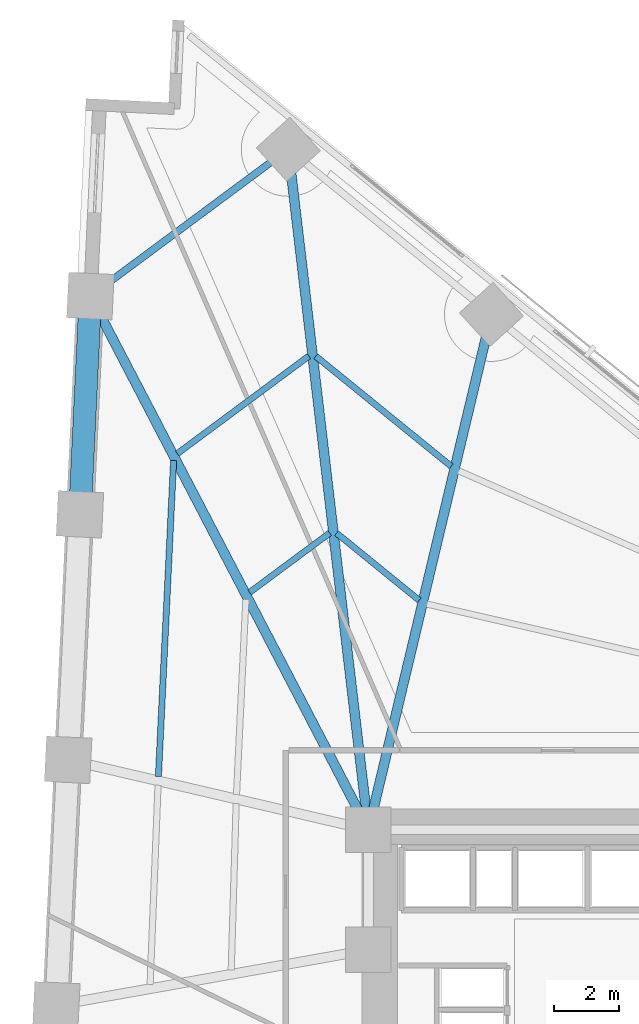
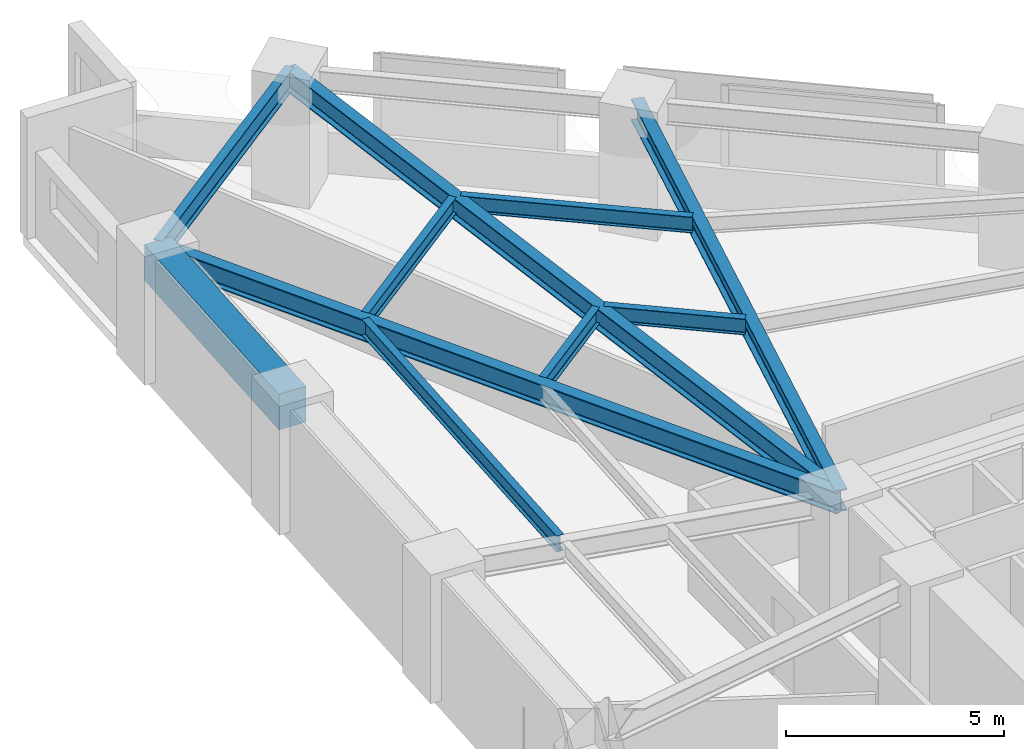
# One storey, part 8 of 17: 10 beams.
"""IFC4 building model written with IfcOpenShell, lengths in metres."""

import ifcopenshell
import ifcopenshell.guid

model = None  # the IFC model being written
_history = None  # IfcOwnerHistory: only IFC2X3 demands one
_inside = {}  # id of a spatial element -> (the spatial element, [elements in it])
_under = {}  # id of a project, library or spatial element -> (it, [spatial elements below it])
_declared = {}  # id of a project -> (the project, [libraries it declares])
_typed = {}  # id of a type object -> (the type object, [elements of that type])
_made_of = {}  # id of a material, layer set ... -> (it, [elements and type objects made of it])


def new_model(schema):
    """Start an empty IFC model of exactly this schema.

    Asked for "IFC4X3", IfcOpenShell would pick the latest addendum, in which some entities
    have other attributes; the version numbers below select the first issue.
    IFC2X3 requires an IfcOwnerHistory on every rooted entity: one is made here for all.
    """
    global model, _history
    if schema == "IFC4X3":
        model = ifcopenshell.file(schema_version=(4, 3, 0, 0))
    else:
        model = ifcopenshell.file(schema=schema)
    _inside.clear()
    _under.clear()
    _declared.clear()
    _typed.clear()
    _made_of.clear()
    _history = None
    if model.schema == "IFC2X3":
        org = make("IfcOrganization", Name="unknown")
        user = make(
            "IfcPersonAndOrganization",
            ThePerson=make("IfcPerson", FamilyName="unknown"),
            TheOrganization=org,
        )
        app = make(
            "IfcApplication",
            ApplicationDeveloper=org,
            Version="unknown",
            ApplicationFullName="unknown",
            ApplicationIdentifier="unknown",
        )
        _history = make(
            "IfcOwnerHistory",
            OwningUser=user,
            OwningApplication=app,
            ChangeAction="ADDED",
            CreationDate=0,
        )
    return model


def make(cls, **values):
    """One entity of the class cls with the attributes given. An attribute that is None is left unset."""
    return model.create_entity(
        cls, **{name: value for name, value in values.items() if value is not None}
    )


def rooted(cls, **values):
    """An entity with a GlobalId (a new one), such as an element, a storey or a relation."""
    return make(cls, GlobalId=ifcopenshell.guid.new(), OwnerHistory=_history, **values)


def si_unit(unit_type, name, prefix=None):
    """IfcSIUnit, for example si_unit("LENGTHUNIT", "METRE", prefix="MILLI")."""
    return make("IfcSIUnit", UnitType=unit_type, Prefix=prefix, Name=name)


def assignment(units):
    """IfcUnitAssignment: the units of a project."""
    return None if units is None else make("IfcUnitAssignment", Units=units)


def point(xyz):
    """IfcCartesianPoint."""
    return None if xyz is None else make("IfcCartesianPoint", Coordinates=xyz)


def direction(xyz):
    """IfcDirection."""
    return None if xyz is None else make("IfcDirection", DirectionRatios=xyz)


def frame(location, z_axis=None, x_axis=None):
    """IfcAxis2Placement3D, a coordinate frame: its origin and axes. An axis left out is left unset."""
    return make(
        "IfcAxis2Placement3D",
        Location=point(location),
        Axis=direction(z_axis),
        RefDirection=direction(x_axis),
    )


def frame_2d(location, x_axis=None):
    """IfcAxis2Placement2D, a coordinate frame in the plane: its origin and x axis."""
    return make(
        "IfcAxis2Placement2D", Location=point(location), RefDirection=direction(x_axis)
    )


def origin():
    """The frame at (0, 0, 0) with its axes left unset."""
    return frame((0.0, 0.0, 0.0))


def origin_2d():
    """The frame at (0, 0) in the plane with its x axis left unset."""
    return frame_2d((0.0, 0.0))


def place(relative_to, where):
    """IfcLocalPlacement: puts the frame where relative to a parent placement (None: the world)."""
    return make(
        "IfcLocalPlacement", PlacementRelTo=relative_to, RelativePlacement=where
    )


def context(
    kind, dimensions, precision=None, world=None, true_north=None, identifier=None
):
    """IfcGeometricRepresentationContext, for example the 3D "Model" context."""
    return make(
        "IfcGeometricRepresentationContext",
        ContextIdentifier=identifier,
        ContextType=kind,
        CoordinateSpaceDimension=dimensions,
        Precision=precision,
        WorldCoordinateSystem=world,
        TrueNorth=true_north,
    )


def subcontext(parent, identifier, kind, view, scale=None):
    """IfcGeometricRepresentationSubContext, for example "Body" below "Model"."""
    return make(
        "IfcGeometricRepresentationSubContext",
        ContextIdentifier=identifier,
        ContextType=kind,
        ParentContext=parent,
        TargetScale=scale,
        TargetView=view,
    )


def project(units=None, contexts=None):
    """IfcProject with its units and contexts."""
    return rooted(
        "IfcProject",
        Name="project",
        RepresentationContexts=contexts,
        UnitsInContext=assignment(units),
    )


def spatial(cls, under=None, at=None, **own):
    """A site, building, storey or space (cls), placed at a placement, below another one or the project."""
    s = rooted(cls, ObjectPlacement=at, **own)
    if under is not None:
        _under.setdefault(under.id(), (under, []))[1].append(s)
    return s


def profile(cls, at=None, kind="AREA", **sizes):
    """A parametric profile (cls). Its sizes go by their IFC names, for example OverallWidth=200.0."""
    return make(cls, ProfileType=kind, Position=at, **sizes)


def rectangle(**sizes):
    """IfcRectangleProfileDef."""
    return profile("IfcRectangleProfileDef", **sizes)


def i_section(**sizes):
    """IfcIShapeProfileDef."""
    return profile("IfcIShapeProfileDef", **sizes)


def extrude(swept, where, along, depth):
    """IfcExtrudedAreaSolid: the profile swept, set in the frame where, extruded along a direction by depth."""
    return make(
        "IfcExtrudedAreaSolid",
        SweptArea=swept,
        Position=where,
        ExtrudedDirection=direction(along),
        Depth=depth,
    )


def shape(context_of_items, identifier, shape_type, items):
    """IfcShapeRepresentation: the items that make up one representation, for example the "Body"."""
    return make(
        "IfcShapeRepresentation",
        ContextOfItems=context_of_items,
        RepresentationIdentifier=identifier,
        RepresentationType=shape_type,
        Items=items,
    )


def material(Name=None, Category=None):
    """IfcMaterial."""
    return make("IfcMaterial", Name=Name, Category=Category)


def material_profile(
    of_material, cross_section, Name=None, Category=None, Priority=None
):
    """IfcMaterialProfile: a cross section and its material."""
    return make(
        "IfcMaterialProfile",
        Name=Name,
        Material=of_material,
        Profile=cross_section,
        Priority=Priority,
        Category=Category,
    )


def profile_set(profiles, Name=None, composite=None):
    """IfcMaterialProfileSet."""
    return make(
        "IfcMaterialProfileSet",
        Name=Name,
        MaterialProfiles=profiles,
        CompositeProfile=composite,
    )


def made_of(thing, what):
    """Note that an element or type object is made of a material, layer set ...; save() writes the relation."""
    if what is not None:
        _made_of.setdefault(what.id(), (what, []))[1].append(thing)
    return thing


def type_object(cls, material=None, **own):
    """A type object (cls), such as IfcWallType, which elements share."""
    return made_of(rooted(cls, **own), material)


def element(
    cls,
    number,
    at=None,
    inside=None,
    cuts=None,
    type_object=None,
    material=None,
    context=None,
    identifier="Body",
    shape_type=None,
    held_by="IfcProductDefinitionShape",
    body=None,
    shapes=None,
    **own,
):
    """One element of the class cls, such as IfcWall. Its Tag is "e" and its number.

    at: its placement. inside: the storey or other place that contains it. cuts: it is an
    opening in that element (IfcRelVoidsElement). A single representation is given by context,
    identifier, shape_type and body (its items); several are given by shapes. held_by: the class
    of the entity that holds the representations. save() writes the other relations.
    """
    e = rooted(cls, Tag="e%d" % number, ObjectPlacement=at, **own)
    if body is not None:
        shapes = [shape(context, identifier, shape_type, body)]
    if shapes is not None:
        e.Representation = make(held_by, Representations=shapes)
    if inside is not None:
        _inside.setdefault(inside.id(), (inside, []))[1].append(e)
    if cuts is not None:
        rooted(
            "IfcRelVoidsElement", RelatingBuildingElement=cuts, RelatedOpeningElement=e
        )
    if type_object is not None:
        _typed.setdefault(type_object.id(), (type_object, []))[1].append(e)
    return made_of(e, material)


def aggregate(whole, parts):
    """IfcRelAggregates: a whole, such as a stair, and the parts it consists of."""
    return rooted("IfcRelAggregates", RelatingObject=whole, RelatedObjects=parts)


def save(model, path):
    """Write the relations noted so far, then the file.

    IfcRelAggregates (storeys below a building ...), IfcRelContainedInSpatialStructure (elements
    in a storey), IfcRelDefinesByType, IfcRelAssociatesMaterial and IfcRelDeclares: one each for
    every whole, place, type object, material and project.
    """
    for whole, parts in _under.values():
        aggregate(whole, parts)
    for where, things in _inside.values():
        rooted(
            "IfcRelContainedInSpatialStructure",
            RelatedElements=things,
            RelatingStructure=where,
        )
    for kind, things in _typed.values():
        rooted("IfcRelDefinesByType", RelatedObjects=things, RelatingType=kind)
    for what, things in _made_of.values():
        rooted("IfcRelAssociatesMaterial", RelatedObjects=things, RelatingMaterial=what)
    for by, libraries in _declared.values():
        rooted("IfcRelDeclares", RelatingContext=by, RelatedDefinitions=libraries)
    model.write(path)


model = new_model("IFC4")

# Units and contexts
model_context = context("Model", 3, precision=1e-05, world=origin(), true_north=direction((0.0, 1.0)))
body_context = subcontext(model_context, "Body", "Model", "MODEL_VIEW")
ifc_project = project(units=[si_unit("LENGTHUNIT", "METRE"), si_unit("AREAUNIT", "SQUARE_METRE"), si_unit("VOLUMEUNIT", "CUBIC_METRE"), si_unit("PLANEANGLEUNIT", "RADIAN"), si_unit("MASSUNIT", "GRAM", prefix="KILO")], contexts=[model_context])

# Site, building, storey
site_placement = place(None, origin())
site = spatial("IfcSite", under=ifc_project, at=site_placement, CompositionType="ELEMENT")
building_placement = place(site_placement, origin())
building = spatial("IfcBuilding", under=site, at=building_placement, Name="Narakoshi Arena Tower", CompositionType="ELEMENT")
storey_placement = place(building_placement, frame((0.0, 0.0, 48.300048828125)))
storey = spatial("IfcBuildingStorey", under=building, at=storey_placement, Name="L12", CompositionType="ELEMENT", Elevation=48.300048828125)

# Beams
ifc_material_1 = material(Name="Concrete C60/75", Category="concrete")
ifc_material_profile_1 = material_profile(ifc_material_1, rectangle(XDim=0.699951171875, YDim=1.0, at=origin_2d()), Name="RCB700x1000")
ifc_profile_set_1 = profile_set([ifc_material_profile_1], Name="Concrete C60/75")
beam_type_1 = type_object("IfcBeamType", Name="BM-CPL-1000", PredefinedType="BEAM", material=ifc_profile_set_1)
beam_1_placement = place(storey_placement, frame((63.42822265625, 72.95654296875, 2.89990234375), z_axis=(-0.047987034988, -0.998847958637, 0.0), x_axis=(0.998847958637, -0.047987034988, 0.0)))
element("IfcBeam", 1, at=beam_1_placement, inside=storey, type_object=beam_type_1, Name="L12 Perimeter Edge Girder 13", PredefinedType="BEAM", context=body_context, shape_type="SweptSolid", body=[
    extrude(rectangle(XDim=0.699951171875, YDim=1.0, at=origin_2d()), origin(), (0.0, 0.0, 1.0), 6.736083984375),
])
ifc_material_2 = material(Name="Structural steel S355J2", Category="steel")
ifc_material_profile_2 = material_profile(ifc_material_2, i_section(OverallWidth=0.219970703125, OverallDepth=0.60009765625, WebThickness=0.011962890625, FlangeThickness=0.01904296875, FilletRadius=0.02392578125, at=origin_2d()), Name="IPE600")
ifc_profile_set_2 = profile_set([ifc_material_profile_2], Name="Structural steel S355J2")
beam_type_2 = type_object("IfcBeamType", Name="BM-EDGE-600", PredefinedType="BEAM", material=ifc_profile_set_2)
beam_2_placement = place(storey_placement, frame((69.531005859375, 77.483154296875, 3.099853515625), z_axis=(-0.80317737809, -0.595739959482, 0.0), x_axis=(0.595739959482, -0.80317737809, 0.0)))
element("IfcBeam", 2, at=beam_2_placement, inside=storey, type_object=beam_type_2, Name="L12 Perimeter Edge Girder 12", PredefinedType="BEAM", context=body_context, shape_type="SweptSolid", body=[
    extrude(i_section(OverallWidth=0.219970703125, OverallDepth=0.60009765625, WebThickness=0.011962890625, FlangeThickness=0.01904296875, FilletRadius=0.02392578125, at=origin_2d()), origin(), (0.0, 0.0, 1.0), 7.598388671875),
])
ifc_material_profile_3 = material_profile(ifc_material_2, i_section(OverallWidth=0.300048828125, OverallDepth=0.60009765625, WebThickness=0.015380859375, FlangeThickness=0.030029296875, FilletRadius=0.027099609375, at=origin_2d()), Name="HE600B")
ifc_profile_set_3 = profile_set([ifc_material_profile_3], Name="Structural steel S355J2")
beam_type_3 = type_object("IfcBeamType", Name="BM-PRI-600", PredefinedType="BEAM", material=ifc_profile_set_3)
beam_3_placement = place(storey_placement, frame((72.0, 56.5, 3.099853515625), z_axis=(0.23221708245, 0.972663984436, 0.0), x_axis=(-0.972663984436, 0.23221708245, 0.0)))
element("IfcBeam", 3, at=beam_3_placement, inside=storey, type_object=beam_type_3, Name="L12 Radial Primary Floor Girder 11", PredefinedType="BEAM", context=body_context, shape_type="SweptSolid", body=[
    extrude(i_section(OverallWidth=0.300048828125, OverallDepth=0.60009765625, WebThickness=0.015380859375, FlangeThickness=0.030029296875, FilletRadius=0.027099609375, at=origin_2d()), origin(), (0.0, 0.0, 1.0), 16.3388671875),
])
beam_4_placement = place(storey_placement, frame((72.0, 56.5, 3.099853515625), z_axis=(-0.11685934963, 0.993148474501, 0.0), x_axis=(-0.993148474501, -0.11685934963, 0.0)))
element("IfcBeam", 4, at=beam_4_placement, inside=storey, type_object=beam_type_3, Name="L12 Radial Primary Floor Girder 12", PredefinedType="BEAM", context=body_context, shape_type="SweptSolid", body=[
    extrude(i_section(OverallWidth=0.300048828125, OverallDepth=0.60009765625, WebThickness=0.015380859375, FlangeThickness=0.030029296875, FilletRadius=0.027099609375, at=origin_2d()), origin(), (0.0, 0.0, 1.0), 21.1279296875),
])
beam_5_placement = place(storey_placement, frame((72.0, 56.5, 3.099853515625), z_axis=(-0.461962449766, 0.886899484162, 0.0), x_axis=(-0.886899484162, -0.461962449766, 0.0)))
element("IfcBeam", 5, at=beam_5_placement, inside=storey, type_object=beam_type_3, Name="L12 Radial Primary Floor Girder 13", PredefinedType="BEAM", context=body_context, shape_type="SweptSolid", body=[
    extrude(i_section(OverallWidth=0.300048828125, OverallDepth=0.60009765625, WebThickness=0.015380859375, FlangeThickness=0.030029296875, FilletRadius=0.027099609375, at=origin_2d()), origin(), (0.0, 0.0, 1.0), 18.55517578125),
])
ifc_material_profile_4 = material_profile(ifc_material_2, i_section(OverallWidth=0.18994140625, OverallDepth=0.449951171875, WebThickness=0.009521484375, FlangeThickness=0.0146484375, FilletRadius=0.02099609375, at=origin_2d()), Name="IPE450")
ifc_profile_set_4 = profile_set([ifc_material_profile_4], Name="Structural steel S355J2")
beam_type_4 = type_object("IfcBeamType", Name="BM-SEC-450", PredefinedType="JOIST", material=ifc_profile_set_4)
beam_6_placement = place(storey_placement, frame((73.564697265625, 63.577880859375, 3.175048828125), z_axis=(-0.77601840583, 0.630710261383, 0.0), x_axis=(-0.630710261383, -0.77601840583, 0.0)))
element("IfcBeam", 6, at=beam_6_placement, inside=storey, type_object=beam_type_4, Name="L12 Composite Secondary Floor Joist 09", PredefinedType="JOIST", context=body_context, shape_type="SweptSolid", body=[
    extrude(i_section(OverallWidth=0.18994140625, OverallDepth=0.449951171875, WebThickness=0.009521484375, FlangeThickness=0.0146484375, FilletRadius=0.02099609375, at=origin_2d()), origin(), (0.0, 0.0, 1.0), 3.28125),
])
beam_7_placement = place(storey_placement, frame((74.55126953125, 67.709716796875, 3.175048828125), z_axis=(-0.775997387035, 0.630736121778, 0.0), x_axis=(-0.630736121778, -0.775997387035, 0.0)))
element("IfcBeam", 7, at=beam_7_placement, inside=storey, type_object=beam_type_4, Name="L12 Composite Secondary Floor Joist 10", PredefinedType="JOIST", context=body_context, shape_type="SweptSolid", body=[
    extrude(i_section(OverallWidth=0.18994140625, OverallDepth=0.449951171875, WebThickness=0.009521484375, FlangeThickness=0.0146484375, FilletRadius=0.02099609375, at=origin_2d()), origin(), (0.0, 0.0, 1.0), 5.3798828125),
])
beam_8_placement = place(storey_placement, frame((70.80517578125, 65.652099609375, 3.175048828125), z_axis=(-0.803172826668, -0.595746095666, 0.0), x_axis=(0.595746095666, -0.803172826668, 0.0)))
element("IfcBeam", 8, at=beam_8_placement, inside=storey, type_object=beam_type_4, Name="L12 Composite Secondary Floor Joist 11", PredefinedType="JOIST", context=body_context, shape_type="SweptSolid", body=[
    extrude(i_section(OverallWidth=0.18994140625, OverallDepth=0.449951171875, WebThickness=0.009521484375, FlangeThickness=0.0146484375, FilletRadius=0.02099609375, at=origin_2d()), origin(), (0.0, 0.0, 1.0), 3.0732421875),
])
beam_9_placement = place(storey_placement, frame((70.163330078125, 71.10791015625, 3.175048828125), z_axis=(-0.803180127116, -0.595736253225, 0.0), x_axis=(0.595736253225, -0.803180127116, 0.0)))
element("IfcBeam", 9, at=beam_9_placement, inside=storey, type_object=beam_type_4, Name="L12 Composite Secondary Floor Joist 12", PredefinedType="JOIST", context=body_context, shape_type="SweptSolid", body=[
    extrude(i_section(OverallWidth=0.18994140625, OverallDepth=0.449951171875, WebThickness=0.009521484375, FlangeThickness=0.0146484375, FilletRadius=0.02099609375, at=origin_2d()), origin(), (0.0, 0.0, 1.0), 5.048828125),
])
beam_10_placement = place(storey_placement, frame((65.993408203125, 67.884765625, 3.175048828125), z_axis=(-0.047976776959, -0.998848451404, 0.0), x_axis=(0.998848451404, -0.047976776959, 0.0)))
element("IfcBeam", 10, at=beam_10_placement, inside=storey, type_object=beam_type_4, Name="L12 Composite Secondary Floor Joist 14", PredefinedType="JOIST", context=body_context, shape_type="SweptSolid", body=[
    extrude(i_section(OverallWidth=0.18994140625, OverallDepth=0.449951171875, WebThickness=0.009521484375, FlangeThickness=0.0146484375, FilletRadius=0.02099609375, at=origin_2d()), origin(), (0.0, 0.0, 1.0), 9.75),
])

save(model, "model.ifc")
